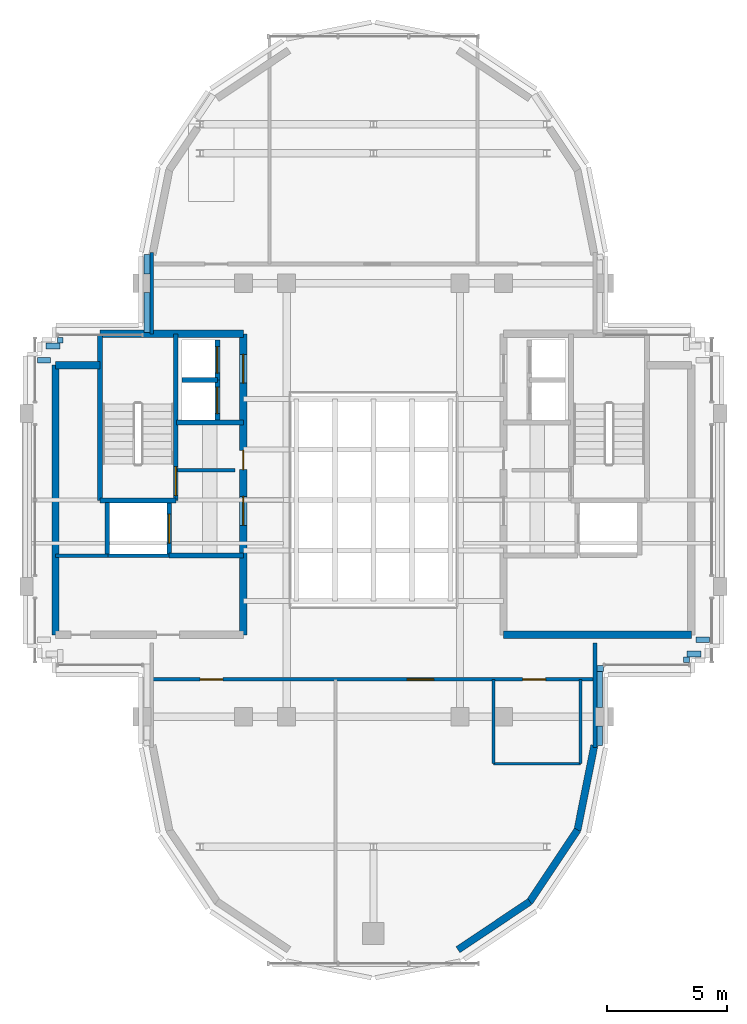
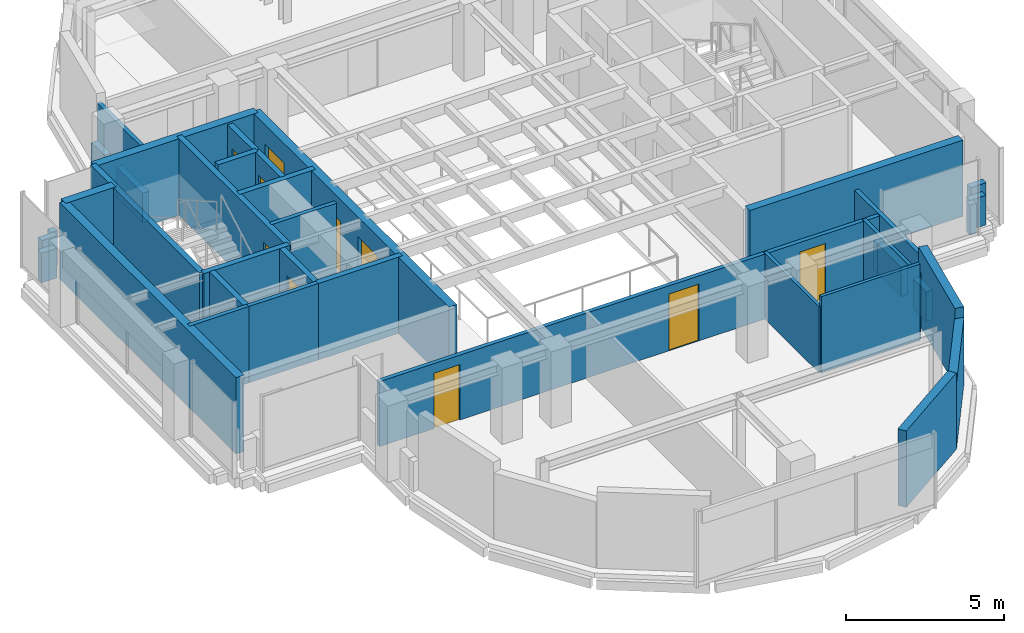
# One storey, part 7 of 11: 38 walls, 10 doors, 10 openings.
"""IFC4 building model written with IfcOpenShell, lengths in metres."""

import ifcopenshell
import ifcopenshell.guid

model = None  # the IFC model being written
_history = None  # IfcOwnerHistory: only IFC2X3 demands one
_inside = {}  # id of a spatial element -> (the spatial element, [elements in it])
_under = {}  # id of a project, library or spatial element -> (it, [spatial elements below it])
_declared = {}  # id of a project -> (the project, [libraries it declares])
_typed = {}  # id of a type object -> (the type object, [elements of that type])
_made_of = {}  # id of a material, layer set ... -> (it, [elements and type objects made of it])


def new_model(schema):
    """Start an empty IFC model of exactly this schema.

    Asked for "IFC4X3", IfcOpenShell would pick the latest addendum, in which some entities
    have other attributes; the version numbers below select the first issue.
    IFC2X3 requires an IfcOwnerHistory on every rooted entity: one is made here for all.
    """
    global model, _history
    if schema == "IFC4X3":
        model = ifcopenshell.file(schema_version=(4, 3, 0, 0))
    else:
        model = ifcopenshell.file(schema=schema)
    _inside.clear()
    _under.clear()
    _declared.clear()
    _typed.clear()
    _made_of.clear()
    _history = None
    if model.schema == "IFC2X3":
        org = make("IfcOrganization", Name="unknown")
        user = make(
            "IfcPersonAndOrganization",
            ThePerson=make("IfcPerson", FamilyName="unknown"),
            TheOrganization=org,
        )
        app = make(
            "IfcApplication",
            ApplicationDeveloper=org,
            Version="unknown",
            ApplicationFullName="unknown",
            ApplicationIdentifier="unknown",
        )
        _history = make(
            "IfcOwnerHistory",
            OwningUser=user,
            OwningApplication=app,
            ChangeAction="ADDED",
            CreationDate=0,
        )
    return model


def make(cls, **values):
    """One entity of the class cls with the attributes given. An attribute that is None is left unset."""
    return model.create_entity(
        cls, **{name: value for name, value in values.items() if value is not None}
    )


def rooted(cls, **values):
    """An entity with a GlobalId (a new one), such as an element, a storey or a relation."""
    return make(cls, GlobalId=ifcopenshell.guid.new(), OwnerHistory=_history, **values)


def si_unit(unit_type, name, prefix=None):
    """IfcSIUnit, for example si_unit("LENGTHUNIT", "METRE", prefix="MILLI")."""
    return make("IfcSIUnit", UnitType=unit_type, Prefix=prefix, Name=name)


def assignment(units):
    """IfcUnitAssignment: the units of a project."""
    return None if units is None else make("IfcUnitAssignment", Units=units)


def point(xyz):
    """IfcCartesianPoint."""
    return None if xyz is None else make("IfcCartesianPoint", Coordinates=xyz)


def direction(xyz):
    """IfcDirection."""
    return None if xyz is None else make("IfcDirection", DirectionRatios=xyz)


def frame(location, z_axis=None, x_axis=None):
    """IfcAxis2Placement3D, a coordinate frame: its origin and axes. An axis left out is left unset."""
    return make(
        "IfcAxis2Placement3D",
        Location=point(location),
        Axis=direction(z_axis),
        RefDirection=direction(x_axis),
    )


def frame_2d(location, x_axis=None):
    """IfcAxis2Placement2D, a coordinate frame in the plane: its origin and x axis."""
    return make(
        "IfcAxis2Placement2D", Location=point(location), RefDirection=direction(x_axis)
    )


def origin():
    """The frame at (0, 0, 0) with its axes left unset."""
    return frame((0.0, 0.0, 0.0))


def place(relative_to, where):
    """IfcLocalPlacement: puts the frame where relative to a parent placement (None: the world)."""
    return make(
        "IfcLocalPlacement", PlacementRelTo=relative_to, RelativePlacement=where
    )


def context(
    kind, dimensions, precision=None, world=None, true_north=None, identifier=None
):
    """IfcGeometricRepresentationContext, for example the 3D "Model" context."""
    return make(
        "IfcGeometricRepresentationContext",
        ContextIdentifier=identifier,
        ContextType=kind,
        CoordinateSpaceDimension=dimensions,
        Precision=precision,
        WorldCoordinateSystem=world,
        TrueNorth=true_north,
    )


def subcontext(parent, identifier, kind, view, scale=None):
    """IfcGeometricRepresentationSubContext, for example "Body" below "Model"."""
    return make(
        "IfcGeometricRepresentationSubContext",
        ContextIdentifier=identifier,
        ContextType=kind,
        ParentContext=parent,
        TargetScale=scale,
        TargetView=view,
    )


def project(units=None, contexts=None):
    """IfcProject with its units and contexts."""
    return rooted(
        "IfcProject",
        Name="project",
        RepresentationContexts=contexts,
        UnitsInContext=assignment(units),
    )


def spatial(cls, under=None, at=None, **own):
    """A site, building, storey or space (cls), placed at a placement, below another one or the project."""
    s = rooted(cls, ObjectPlacement=at, **own)
    if under is not None:
        _under.setdefault(under.id(), (under, []))[1].append(s)
    return s


def profile(cls, at=None, kind="AREA", **sizes):
    """A parametric profile (cls). Its sizes go by their IFC names, for example OverallWidth=200.0."""
    return make(cls, ProfileType=kind, Position=at, **sizes)


def rectangle(**sizes):
    """IfcRectangleProfileDef."""
    return profile("IfcRectangleProfileDef", **sizes)


def extrude(swept, where, along, depth):
    """IfcExtrudedAreaSolid: the profile swept, set in the frame where, extruded along a direction by depth."""
    return make(
        "IfcExtrudedAreaSolid",
        SweptArea=swept,
        Position=where,
        ExtrudedDirection=direction(along),
        Depth=depth,
    )


def shape(context_of_items, identifier, shape_type, items):
    """IfcShapeRepresentation: the items that make up one representation, for example the "Body"."""
    return make(
        "IfcShapeRepresentation",
        ContextOfItems=context_of_items,
        RepresentationIdentifier=identifier,
        RepresentationType=shape_type,
        Items=items,
    )


def source(mapping_origin, context_of_items, identifier, shape_type, items):
    """IfcRepresentationMap: a shape defined once, which mapped items show again and again."""
    return make(
        "IfcRepresentationMap",
        MappingOrigin=mapping_origin,
        MappedRepresentation=shape(context_of_items, identifier, shape_type, items),
    )


def transform(
    local_origin,
    x_axis=None,
    y_axis=None,
    z_axis=None,
    scale=None,
    scale2=None,
    scale3=None,
    uniform=True,
):
    """IfcCartesianTransformationOperator3D, or its non-uniform kind. x_axis, y_axis, z_axis: its Axis1, 2, 3."""
    if uniform:
        return make(
            "IfcCartesianTransformationOperator3D",
            Axis1=direction(x_axis),
            Axis2=direction(y_axis),
            LocalOrigin=point(local_origin),
            Scale=scale,
            Axis3=direction(z_axis),
        )
    return make(
        "IfcCartesianTransformationOperator3DnonUniform",
        Axis1=direction(x_axis),
        Axis2=direction(y_axis),
        LocalOrigin=point(local_origin),
        Scale=scale,
        Axis3=direction(z_axis),
        Scale2=scale2,
        Scale3=scale3,
    )


def mapped(mapping_source, mapping_target):
    """IfcMappedItem: shows the shape of a source again, moved by a transform."""
    return make(
        "IfcMappedItem", MappingSource=mapping_source, MappingTarget=mapping_target
    )


def material(Name=None, Category=None):
    """IfcMaterial."""
    return make("IfcMaterial", Name=Name, Category=Category)


def layer(
    of_material, thickness, ventilated=None, Name=None, Category=None, Priority=None
):
    """IfcMaterialLayer: one layer of a wall or slab, of a material (None: an air gap)."""
    return make(
        "IfcMaterialLayer",
        Material=of_material,
        LayerThickness=thickness,
        IsVentilated=ventilated,
        Name=Name,
        Category=Category,
        Priority=Priority,
    )


def layer_set(layers, Name=None):
    """IfcMaterialLayerSet."""
    return make("IfcMaterialLayerSet", MaterialLayers=layers, LayerSetName=Name)


def made_of(thing, what):
    """Note that an element or type object is made of a material, layer set ...; save() writes the relation."""
    if what is not None:
        _made_of.setdefault(what.id(), (what, []))[1].append(thing)
    return thing


def type_object(cls, material=None, **own):
    """A type object (cls), such as IfcWallType, which elements share."""
    return made_of(rooted(cls, **own), material)


def element(
    cls,
    number,
    at=None,
    inside=None,
    cuts=None,
    type_object=None,
    material=None,
    context=None,
    identifier="Body",
    shape_type=None,
    held_by="IfcProductDefinitionShape",
    body=None,
    shapes=None,
    **own,
):
    """One element of the class cls, such as IfcWall. Its Tag is "e" and its number.

    at: its placement. inside: the storey or other place that contains it. cuts: it is an
    opening in that element (IfcRelVoidsElement). A single representation is given by context,
    identifier, shape_type and body (its items); several are given by shapes. held_by: the class
    of the entity that holds the representations. save() writes the other relations.
    """
    e = rooted(cls, Tag="e%d" % number, ObjectPlacement=at, **own)
    if body is not None:
        shapes = [shape(context, identifier, shape_type, body)]
    if shapes is not None:
        e.Representation = make(held_by, Representations=shapes)
    if inside is not None:
        _inside.setdefault(inside.id(), (inside, []))[1].append(e)
    if cuts is not None:
        rooted(
            "IfcRelVoidsElement", RelatingBuildingElement=cuts, RelatedOpeningElement=e
        )
    if type_object is not None:
        _typed.setdefault(type_object.id(), (type_object, []))[1].append(e)
    return made_of(e, material)


def fill(opening, filler):
    """IfcRelFillsElement: the door or window that sits in an opening."""
    return rooted(
        "IfcRelFillsElement",
        RelatingOpeningElement=opening,
        RelatedBuildingElement=filler,
    )


def aggregate(whole, parts):
    """IfcRelAggregates: a whole, such as a stair, and the parts it consists of."""
    return rooted("IfcRelAggregates", RelatingObject=whole, RelatedObjects=parts)


def save(model, path):
    """Write the relations noted so far, then the file.

    IfcRelAggregates (storeys below a building ...), IfcRelContainedInSpatialStructure (elements
    in a storey), IfcRelDefinesByType, IfcRelAssociatesMaterial and IfcRelDeclares: one each for
    every whole, place, type object, material and project.
    """
    for whole, parts in _under.values():
        aggregate(whole, parts)
    for where, things in _inside.values():
        rooted(
            "IfcRelContainedInSpatialStructure",
            RelatedElements=things,
            RelatingStructure=where,
        )
    for kind, things in _typed.values():
        rooted("IfcRelDefinesByType", RelatedObjects=things, RelatingType=kind)
    for what, things in _made_of.values():
        rooted("IfcRelAssociatesMaterial", RelatedObjects=things, RelatingMaterial=what)
    for by, libraries in _declared.values():
        rooted("IfcRelDeclares", RelatingContext=by, RelatedDefinitions=libraries)
    model.write(path)


model = new_model("IFC4")

# Units and contexts
model_context = context("Model", 3, precision=1e-05, world=origin(), true_north=direction((0.0, 1.0)))
body_context = subcontext(model_context, "Body", "Model", "MODEL_VIEW")
ifc_project = project(units=[si_unit("LENGTHUNIT", "METRE"), si_unit("AREAUNIT", "SQUARE_METRE"), si_unit("VOLUMEUNIT", "CUBIC_METRE"), si_unit("PLANEANGLEUNIT", "RADIAN"), si_unit("MASSUNIT", "GRAM", prefix="KILO")], contexts=[model_context])

# Site, building, storey
site_placement = place(None, origin())
site = spatial("IfcSite", under=ifc_project, at=site_placement, CompositionType="ELEMENT")
building_placement = place(site_placement, origin())
building = spatial("IfcBuilding", under=site, at=building_placement, Name="Keilestroom Media Tower", CompositionType="ELEMENT")
storey_placement = place(building_placement, frame((0.0, 0.0, 268.39990234375)))
storey = spatial("IfcBuildingStorey", under=building, at=storey_placement, Name="L75", CompositionType="ELEMENT", Elevation=268.39990234375)

# Walls
ifc_material_1 = material(Name="Precast concrete C40/50", Category="concrete")
ifc_layer_1 = layer(ifc_material_1, 0.300048828125)
ifc_layer_set_1 = layer_set([ifc_layer_1], Name="Precast concrete C40/50")
wall_type_1 = type_object("IfcWallType", Name="Exterior-Masonry-Spandrel-Wall-300", PredefinedType="SOLIDWALL", material=ifc_layer_set_1)
wall_1_placement = place(storey_placement, frame((3.510009765625, -18.673583984375, 0.0), z_axis=(0.0, 0.0, 1.0), x_axis=(0.831443568068, 0.555609208993, 0.0)))
element("IfcWall", 1, at=wall_1_placement, inside=storey, type_object=wall_type_1, Name="L75 Lobe Facet Precast Frame Wall 10", PredefinedType="SOLIDWALL", context=body_context, shape_type="SweptSolid", body=[
    extrude(rectangle(XDim=3.593505859375, YDim=0.300048828125, at=frame_2d((1.796875, 0.0))), origin(), (0.0, 0.0, 1.0), 2.960205078125),
])
wall_2_placement = place(storey_placement, frame((6.47705078125, -16.697998046875, 0.0), z_axis=(0.0, 0.0, 1.0), x_axis=(0.555574187116, 0.831466970246, 0.0)))
element("IfcWall", 2, at=wall_2_placement, inside=storey, type_object=wall_type_1, Name="L75 Lobe Facet Precast Frame Wall 11", PredefinedType="SOLIDWALL", context=body_context, shape_type="SweptSolid", body=[
    extrude(rectangle(XDim=3.608642578125, YDim=0.300048828125, at=frame_2d((1.80419921875, 0.0))), origin(), (0.0, 0.0, 1.0), 2.56005859375),
])
wall_3_placement = place(storey_placement, frame((8.470703125, -13.724609375, 0.0), z_axis=(0.0, 0.0, 1.0), x_axis=(0.195114232679, 0.980780523974, 0.0)))
element("IfcWall", 3, at=wall_3_placement, inside=storey, type_object=wall_type_1, Name="L75 Lobe Facet Precast Frame Wall 12", PredefinedType="SOLIDWALL", context=body_context, shape_type="SweptSolid", body=[
    extrude(rectangle(XDim=3.608642578125, YDim=0.300048828125, at=frame_2d((1.80419921875, 0.0))), origin(), (0.0, 0.0, 1.0), 2.960205078125),
])
ifc_material_2 = material(Name="Gypsum Plasterboard & Steel Stud", Category="steel")
ifc_layer_2 = layer(ifc_material_2, 0.1201171875)
ifc_layer_set_2 = layer_set([ifc_layer_2], Name="Gypsum Plasterboard & Steel Stud")
wall_type_2 = type_object("IfcWallType", Name="Interior-Partition-Wall-120", PredefinedType="PARTITIONING", material=ifc_layer_set_2)
wall_4_placement = place(storey_placement, frame((4.97998046875, -10.949951171875, 0.0), z_axis=(0.0, 0.0, 1.0), x_axis=(1.0, 0.0, 0.0)))
element("IfcWall", 4, at=wall_4_placement, inside=storey, type_object=wall_type_2, Name="L75 Interior Wall WP-L75-SL-WC1-S", PredefinedType="PARTITIONING", context=body_context, shape_type="SweptSolid", body=[
    extrude(rectangle(XDim=3.6201171875, YDim=0.1201171875, at=frame_2d((1.81005859375, 0.0))), origin(), (0.0, 0.0, 1.0), 2.960205078125),
])
for number, where, z_axis, x_axis, name in (
    (5, (4.97998046875, -10.949951171875, 0.0), (0.0, 0.0, 1.0), (0.0, 1.0, 0.0), "L75 Interior Wall WP-L75-SL-WC1-W"),
    (6, (8.60009765625, -10.949951171875, 0.0), (0.0, 0.0, 1.0), (0.0, 1.0, 0.0), "L75 Interior Wall WP-L75-SL-WC1-E"),
):
    element("IfcWall", number, at=place(storey_placement, frame(where, z_axis=z_axis, x_axis=x_axis)), inside=storey, type_object=wall_type_2, Name=name, PredefinedType="PARTITIONING", context=body_context, shape_type="SweptSolid", body=[
        extrude(rectangle(XDim=3.5, YDim=0.1201171875, at=frame_2d((1.75, 0.0))), origin(), (0.0, 0.0, 1.0), 2.56005859375),
    ])
ifc_layer_3 = layer(ifc_material_2, 0.14990234375)
ifc_layer_set_3 = layer_set([ifc_layer_3], Name="Gypsum Plasterboard & Steel Stud")
wall_type_3 = type_object("IfcWallType", Name="Interior-Partition-Wall-150", PredefinedType="PARTITIONING", material=ifc_layer_set_3)
wall_5_placement = place(storey_placement, frame((-8.139892578125, 1.239990234375, 0.0), z_axis=(0.0, 0.0, 1.0), x_axis=(1.0, 0.0, 0.0)))
element("IfcWall", 7, at=wall_5_placement, inside=storey, type_object=wall_type_3, Name="L75 Interior Wall WP-L75-FFW-TOP", PredefinedType="PARTITIONING", context=body_context, shape_type="SweptSolid", body=[
    extrude(rectangle(XDim=2.389892578125, YDim=0.14990234375, at=frame_2d((1.19482421875, 0.0))), origin(), (0.0, 0.0, 1.0), 2.960205078125),
])
wall_6_placement = place(storey_placement, frame((-13.199951171875, -2.320068359375, 0.0), z_axis=(0.0, 0.0, 1.0), x_axis=(1.0, 0.0, 0.0)))
element("IfcWall", 8, at=wall_6_placement, inside=storey, type_object=wall_type_3, Name="L75 Interior Wall WP-L75-RECLW-N", PredefinedType="PARTITIONING", context=body_context, shape_type="SweptSolid", body=[
    extrude(rectangle(XDim=2.179931640625, YDim=0.14990234375, at=frame_2d((1.08984375, 0.0))), origin(), (0.0, 0.0, 1.0), 2.960205078125),
])
wall_7_placement = place(storey_placement, frame((-11.0400390625, -2.320068359375, 0.0), z_axis=(0.0, 0.0, 1.0), x_axis=(1.0, 0.0, 0.0)))
element("IfcWall", 9, at=wall_7_placement, inside=storey, type_object=wall_type_3, Name="L75 Interior Wall WP-L75-RECMW-N", PredefinedType="PARTITIONING", context=body_context, shape_type="SweptSolid", body=[
    extrude(rectangle(XDim=2.56005859375, YDim=0.14990234375, at=frame_2d((1.280029296875, 0.0))), origin(), (0.0, 0.0, 1.0), 2.960205078125),
])
wall_8_placement = place(storey_placement, frame((-9.199951171875, 6.89990234375, 0.0), z_axis=(0.0, 0.0, 1.0), x_axis=(0.0, 1.0, 0.0)))
element("IfcWall", 10, at=wall_8_placement, inside=storey, type_object=wall_type_3, Name="L75 Interior Wall WP-L75-NL-CHKW", PredefinedType="PARTITIONING", context=body_context, shape_type="SweptSolid", body=[
    extrude(rectangle(XDim=3.380126953125, YDim=0.14990234375, at=frame_2d((1.68994140625, 0.0))), origin(), (0.0, 0.0, 1.0), 2.56005859375),
])

# Wall, openings, doors
wall_9_placement = place(storey_placement, frame((-9.199951171875, -7.449951171875, 0.0), z_axis=(0.0, 0.0, 1.0), x_axis=(1.0, 0.0, 0.0)))
wall_9 = element("IfcWall", 11, at=wall_9_placement, inside=storey, type_object=wall_type_3, Name="L75 Interior Wall WP-L75-SL-BASE", PredefinedType="PARTITIONING", context=body_context, shape_type="SweptSolid", body=[
    extrude(rectangle(XDim=18.39990234375, YDim=0.14990234375, at=frame_2d((9.199951171875, 0.0))), origin(), (0.0, 0.0, 1.0), 2.52001953125),
])
opening_1_placement = place(wall_9_placement, frame((15.39990234375, 0.0, 0.0)))
opening_1 = element("IfcOpeningElement", 12, at=opening_1_placement, cuts=wall_9, Name="Opening DI-03", PredefinedType="OPENING", context=body_context, shape_type="SweptSolid", body=[
    extrude(rectangle(XDim=0.949951171875, YDim=2.14990234375, at=frame_2d((0.47509765625, 1.074951171875))), frame((0.0, 0.0849609375, 0.0), z_axis=(0.0, -1.0, 0.0), x_axis=(1.0, 0.0, 0.0)), (0.0, 0.0, 1.0), 0.169921875),
])
opening_2_placement = place(wall_9_placement, frame((2.0, 0.0, 0.0)))
opening_2 = element("IfcOpeningElement", 13, at=opening_2_placement, cuts=wall_9, Name="Opening DI-03", PredefinedType="OPENING", context=body_context, shape_type="SweptSolid", body=[
    extrude(rectangle(XDim=0.949951171875, YDim=2.14990234375, at=frame_2d((0.47509765625, 1.074951171875))), frame((0.0, 0.0849609375, 0.0), z_axis=(0.0, -1.0, 0.0), x_axis=(1.0, 0.0, 0.0)), (0.0, 0.0, 1.0), 0.169921875),
])
opening_3_placement = place(wall_9_placement, frame((10.60009765625, 0.0, 0.0)))
opening_3 = element("IfcOpeningElement", 14, at=opening_3_placement, cuts=wall_9, Name="Opening DI-04", PredefinedType="OPENING", context=body_context, shape_type="SweptSolid", body=[
    extrude(rectangle(XDim=1.10009765625, YDim=2.199951171875, at=frame_2d((0.550048828125, 1.10009765625))), frame((0.0, 0.0849609375, 0.0), z_axis=(0.0, -1.0, 0.0), x_axis=(1.0, 0.0, 0.0)), (0.0, 0.0, 1.0), 0.169921875),
])
ifc_material_3 = material(Name="Lacquered European Oak Leaf", Category="wood")
door_type_1 = type_object("IfcDoorType", Name="Interior-Room-And-Suite-Door-DI-03", OperationType="NOTDEFINED", PredefinedType="DOOR", material=ifc_material_3)
shared_shape_1 = source(origin(), body_context, "Body", "SweptSolid", [
    extrude(rectangle(XDim=0.949951171875, YDim=2.14990234375, at=frame_2d((0.47509765625, 1.074951171875))), frame((0.0, 0.02490234375, 0.0), z_axis=(0.0, -1.0, 0.0), x_axis=(1.0, 0.0, 0.0)), (0.0, 0.0, 1.0), 0.050048828125),
])
door_1_placement = place(opening_1_placement, origin())
door_1 = element("IfcDoor", 15, at=door_1_placement, inside=storey, type_object=door_type_1, Name="L75 Interior Door DI-L75-DSL-WC1", OperationType="SINGLE_SWING_RIGHT", OverallHeight=2.14990234375, OverallWidth=0.949951171875, PredefinedType="DOOR", context=body_context, shape_type="MappedRepresentation", body=[
    mapped(shared_shape_1, transform((0.0, 0.0, 0.0), x_axis=(1.0, 0.0, 0.0), y_axis=(0.0, 1.0, 0.0), z_axis=(0.0, 0.0, 1.0), scale=1.0)),
])
fill(opening_1, door_1)
door_2_placement = place(opening_2_placement, origin())
door_2 = element("IfcDoor", 16, at=door_2_placement, inside=storey, type_object=door_type_1, Name="L75 Interior Door DI-L75-DSL-W", OperationType="SINGLE_SWING_LEFT", OverallHeight=2.14990234375, OverallWidth=0.949951171875, PredefinedType="DOOR", context=body_context, shape_type="MappedRepresentation", body=[
    mapped(shared_shape_1, transform((0.0, 0.0, 0.0), x_axis=(1.0, 0.0, 0.0), y_axis=(0.0, 1.0, 0.0), z_axis=(0.0, 0.0, 1.0), scale=1.0)),
])
fill(opening_2, door_2)
ifc_material_4 = material(Name="Acoustic Glazed Aluminium Leaf", Category="aluminium")
door_type_2 = type_object("IfcDoorType", Name="Interior-Room-And-Suite-Door-DI-04", OperationType="NOTDEFINED", PredefinedType="DOOR", material=ifc_material_4)
shared_shape_2 = source(origin(), body_context, "Body", "SweptSolid", [
    extrude(rectangle(XDim=1.10009765625, YDim=2.199951171875, at=frame_2d((0.550048828125, 1.10009765625))), frame((0.0, 0.02490234375, 0.0), z_axis=(0.0, -1.0, 0.0), x_axis=(1.0, 0.0, 0.0)), (0.0, 0.0, 1.0), 0.050048828125),
])
door_3_placement = place(opening_3_placement, origin())
door_3 = element("IfcDoor", 17, at=door_3_placement, inside=storey, type_object=door_type_2, Name="L75 Interior Door DI-L75-DSL-E", OperationType="SINGLE_SWING_RIGHT", OverallHeight=2.199951171875, OverallWidth=1.10009765625, PredefinedType="DOOR", context=body_context, shape_type="MappedRepresentation", body=[
    mapped(shared_shape_2, transform((0.0, 0.0, 0.0), x_axis=(1.0, 0.0, 0.0), y_axis=(0.0, 1.0, 0.0), z_axis=(0.0, 0.0, 1.0), scale=1.0)),
])
fill(opening_3, door_3)

# Walls
wall_10_placement = place(storey_placement, frame((9.199951171875, -10.280029296875, 0.0), z_axis=(0.0, 0.0, 1.0), x_axis=(0.0, 1.0, 0.0)))
element("IfcWall", 18, at=wall_10_placement, inside=storey, type_object=wall_type_3, Name="L75 Interior Wall WP-L75-SL-CHKE", PredefinedType="PARTITIONING", context=body_context, shape_type="SweptSolid", body=[
    extrude(rectangle(XDim=4.340087890625, YDim=0.14990234375, at=frame_2d((2.169921875, 0.0))), origin(), (0.0, 0.0, 1.0), 2.56005859375),
])
ifc_material_5 = material(Name="Concrete C50/60", Category="concrete")
ifc_layer_4 = layer(ifc_material_5, 0.300048828125)
ifc_layer_set_4 = layer_set([ifc_layer_4], Name="Concrete C50/60")
wall_type_4 = type_object("IfcWallType", Name="Reinforced-Concrete-Core-Shear-Wall-300", PredefinedType="SHEAR", material=ifc_layer_set_4)
wall_11_placement = place(storey_placement, frame((-13.199951171875, -5.60009765625, 0.0), z_axis=(0.0, 0.0, 1.0), x_axis=(0.0, 1.0, 0.0)))
element("IfcWall", 19, at=wall_11_placement, inside=storey, type_object=wall_type_4, Name="L75 Core Shear Wall WL-L75-CORE-W-OUT", PredefinedType="SHEAR", context=body_context, shape_type="SweptSolid", body=[
    extrude(rectangle(XDim=11.2001953125, YDim=0.300048828125, at=frame_2d((5.60009765625, 0.0))), origin(), (0.0, 0.0, 1.0), 2.960205078125),
])

# Wall, openings, doors
wall_12_placement = place(storey_placement, frame((-5.39990234375, -5.60009765625, 0.0), z_axis=(0.0, 0.0, 1.0), x_axis=(0.0, 1.0, 0.0)))
wall_12 = element("IfcWall", 20, at=wall_12_placement, inside=storey, type_object=wall_type_4, Name="L75 Core Shear Wall WL-L75-CORE-W-IN", PredefinedType="SHEAR", context=body_context, shape_type="SweptSolid", body=[
    extrude(rectangle(XDim=12.5, YDim=0.300048828125, at=frame_2d((6.25, 0.0))), origin(), (0.0, 0.0, 1.0), 2.960205078125),
])
opening_4_placement = place(wall_12_placement, frame((4.550048828125, 0.0, 0.0)))
opening_4 = element("IfcOpeningElement", 21, at=opening_4_placement, cuts=wall_12, Name="Opening DI-02", PredefinedType="OPENING", context=body_context, shape_type="SweptSolid", body=[
    extrude(rectangle(XDim=1.199951171875, YDim=2.199951171875, at=frame_2d((0.60009765625, 1.10009765625))), frame((0.0, 0.16015625, 0.0), z_axis=(0.0, -1.0, 0.0), x_axis=(1.0, 0.0, 0.0)), (0.0, 0.0, 1.0), 0.320068359375),
])
opening_5_placement = place(wall_12_placement, frame((10.449951171875, 0.0, 0.0)))
opening_5 = element("IfcOpeningElement", 22, at=opening_5_placement, cuts=wall_12, Name="Opening DI-02", PredefinedType="OPENING", context=body_context, shape_type="SweptSolid", body=[
    extrude(rectangle(XDim=1.199951171875, YDim=2.199951171875, at=frame_2d((0.60009765625, 1.10009765625))), frame((0.0, 0.16015625, 0.0), z_axis=(0.0, -1.0, 0.0), x_axis=(1.0, 0.0, 0.0)), (0.0, 0.0, 1.0), 0.320068359375),
])
opening_6_placement = place(wall_12_placement, frame((6.860107421875, 0.0, 0.0)))
opening_6 = element("IfcOpeningElement", 23, at=opening_6_placement, cuts=wall_12, Name="Opening DI-06", PredefinedType="OPENING", context=body_context, shape_type="SweptSolid", body=[
    extrude(rectangle(XDim=0.800048828125, YDim=2.10009765625, at=frame_2d((0.39990234375, 1.050048828125))), frame((0.0, 0.16015625, 0.0), z_axis=(0.0, -1.0, 0.0), x_axis=(1.0, 0.0, 0.0)), (0.0, 0.0, 1.0), 0.320068359375),
])
ifc_material_6 = material(Name="Powder-Coated Steel Fire Leaf", Category="steel")
door_type_3 = type_object("IfcDoorType", Name="Interior-Compartment-Fire-Door-DI-02", OperationType="NOTDEFINED", PredefinedType="DOOR", material=ifc_material_6)
shared_shape_3 = source(origin(), body_context, "Body", "SweptSolid", [
    extrude(rectangle(XDim=1.199951171875, YDim=2.199951171875, at=frame_2d((0.60009765625, 1.10009765625))), frame((0.0, 0.02490234375, 0.0), z_axis=(0.0, -1.0, 0.0), x_axis=(1.0, 0.0, 0.0)), (0.0, 0.0, 1.0), 0.050048828125),
])
door_4_placement = place(opening_4_placement, origin())
door_4 = element("IfcDoor", 24, at=door_4_placement, inside=storey, type_object=door_type_3, Name="L75 W Firefighting Lobby Door", OperationType="SINGLE_SWING_RIGHT", OverallHeight=2.199951171875, OverallWidth=1.199951171875, PredefinedType="DOOR", context=body_context, shape_type="MappedRepresentation", body=[
    mapped(shared_shape_3, transform((0.0, 0.0, 0.0), x_axis=(1.0, 0.0, 0.0), y_axis=(0.0, 1.0, 0.0), z_axis=(0.0, 0.0, 1.0), scale=1.0)),
])
fill(opening_4, door_4)
door_5_placement = place(opening_5_placement, origin())
door_5 = element("IfcDoor", 25, at=door_5_placement, inside=storey, type_object=door_type_3, Name="L75 W High-Rise Lift Lobby Door", OperationType="SINGLE_SWING_LEFT", OverallHeight=2.199951171875, OverallWidth=1.199951171875, PredefinedType="DOOR", context=body_context, shape_type="MappedRepresentation", body=[
    mapped(shared_shape_3, transform((0.0, 0.0, 0.0), x_axis=(1.0, 0.0, 0.0), y_axis=(0.0, 1.0, 0.0), z_axis=(0.0, 0.0, 1.0), scale=1.0)),
])
fill(opening_5, door_5)
ifc_material_7 = material(Name="Powder-Coated Steel Service Leaf", Category="steel")
door_type_4 = type_object("IfcDoorType", Name="Interior-Riser-Access-Door-DI-06", OperationType="NOTDEFINED", PredefinedType="DOOR", material=ifc_material_7)
shared_shape_4 = source(origin(), body_context, "Body", "SweptSolid", [
    extrude(rectangle(XDim=0.800048828125, YDim=2.10009765625, at=frame_2d((0.39990234375, 1.050048828125))), frame((0.0, 0.02490234375, 0.0), z_axis=(0.0, -1.0, 0.0), x_axis=(1.0, 0.0, 0.0)), (0.0, 0.0, 1.0), 0.050048828125),
])
door_6_placement = place(opening_6_placement, origin())
door_6 = element("IfcDoor", 26, at=door_6_placement, inside=storey, type_object=door_type_4, Name="L75 West Core Switchroom Door", OperationType="SINGLE_SWING_LEFT", OverallHeight=2.10009765625, OverallWidth=0.800048828125, PredefinedType="DOOR", context=body_context, shape_type="MappedRepresentation", body=[
    mapped(shared_shape_4, transform((0.0, 0.0, 0.0), x_axis=(1.0, 0.0, 0.0), y_axis=(0.0, 1.0, 0.0), z_axis=(0.0, 0.0, 1.0), scale=1.0)),
])
fill(opening_6, door_6)

# Walls
wall_13_placement = place(storey_placement, frame((-11.35595703125, 6.89990234375, 0.0), z_axis=(0.0, 0.0, 1.0), x_axis=(1.0, 0.0, 0.0)))
element("IfcWall", 27, at=wall_13_placement, inside=storey, type_object=wall_type_4, Name="L75 Core Shear Wall WL-L75-CORE-W-N", PredefinedType="SHEAR", context=body_context, shape_type="SweptSolid", body=[
    extrude(rectangle(XDim=5.9560546875, YDim=0.300048828125, at=frame_2d((2.97802734375, 0.0))), origin(), (0.0, 0.0, 1.0), 2.960205078125),
])
wall_14_placement = place(storey_placement, frame((-13.199951171875, 5.60009765625, 0.0), z_axis=(0.0, 0.0, 1.0), x_axis=(1.0, 0.0, 0.0)))
element("IfcWall", 28, at=wall_14_placement, inside=storey, type_object=wall_type_4, Name="L75 Core Shear Wall WL-L75-CNW-N", PredefinedType="SHEAR", context=body_context, shape_type="SweptSolid", body=[
    extrude(rectangle(XDim=1.843994140625, YDim=0.300048828125, at=frame_2d((0.921875, 0.0))), origin(), (0.0, 0.0, 1.0), 2.960205078125),
])
wall_15_placement = place(storey_placement, frame((5.39990234375, -5.60009765625, 0.0), z_axis=(0.0, 0.0, 1.0), x_axis=(1.0, 0.0, 0.0)))
element("IfcWall", 29, at=wall_15_placement, inside=storey, type_object=wall_type_4, Name="L75 Core Shear Wall WL-L75-CORE-E-S", PredefinedType="SHEAR", context=body_context, shape_type="SweptSolid", body=[
    extrude(rectangle(XDim=7.800048828125, YDim=0.300048828125, at=frame_2d((3.89990234375, 0.0))), origin(), (0.0, 0.0, 1.0), 2.960205078125),
])
ifc_layer_5 = layer(ifc_material_5, 0.199951171875)
ifc_layer_set_5 = layer_set([ifc_layer_5], Name="Concrete C50/60")
wall_type_5 = type_object("IfcWallType", Name="Reinforced-Concrete-Shaft-Wall-200", PredefinedType="SOLIDWALL", material=ifc_layer_set_5)
wall_16_placement = place(storey_placement, frame((-8.179931640625, 3.219970703125, 0.0), z_axis=(0.0, 0.0, 1.0), x_axis=(1.0, 0.0, 0.0)))
element("IfcWall", 30, at=wall_16_placement, inside=storey, type_object=wall_type_5, Name="L75 Core Shear Wall WL-L75-CORE-W-FFN", PredefinedType="SOLIDWALL", context=body_context, shape_type="SweptSolid", body=[
    extrude(rectangle(XDim=2.780029296875, YDim=0.199951171875, at=frame_2d((1.39013671875, 0.0))), origin(), (0.0, 0.0, 1.0), 2.960205078125),
])
wall_17_placement = place(storey_placement, frame((-8.47998046875, -2.300048828125, 0.0), z_axis=(0.0, 0.0, 1.0), x_axis=(1.0, 0.0, 0.0)))
element("IfcWall", 31, at=wall_17_placement, inside=storey, type_object=wall_type_5, Name="L75 Core Shear Wall WL-L75-CORE-W-FFS", PredefinedType="SOLIDWALL", context=body_context, shape_type="SweptSolid", body=[
    extrude(rectangle(XDim=3.080078125, YDim=0.199951171875, at=frame_2d((1.5400390625, 0.0))), origin(), (0.0, 0.0, 1.0), 2.960205078125),
])

# Wall, opening, door
wall_18_placement = place(storey_placement, frame((-8.2041015625, -0.01611328125, 0.0), z_axis=(0.0, 0.0, 1.0), x_axis=(0.0, 1.0, 0.0)))
wall_18 = element("IfcWall", 32, at=wall_18_placement, inside=storey, type_object=wall_type_5, Name="L75 Core Shear Wall WL-L75-STW-W-NEAR", PredefinedType="SOLIDWALL", context=body_context, shape_type="SweptSolid", body=[
    extrude(rectangle(XDim=6.916015625, YDim=0.199951171875, at=frame_2d((3.4580078125, 0.0))), origin(), (0.0, 0.0, 1.0), 2.960205078125),
])
opening_7_placement = place(wall_18_placement, frame((0.199951171875, 0.0, 0.0)))
opening_7 = element("IfcOpeningElement", 33, at=opening_7_placement, cuts=wall_18, Name="Opening DI-01S", PredefinedType="OPENING", context=body_context, shape_type="SweptSolid", body=[
    extrude(rectangle(XDim=1.199951171875, YDim=2.199951171875, at=frame_2d((0.60009765625, 1.10009765625))), frame((0.0, 0.10986328125, 0.0), z_axis=(0.0, -1.0, 0.0), x_axis=(1.0, 0.0, 0.0)), (0.0, 0.0, 1.0), 0.219970703125),
])
door_type_5 = type_object("IfcDoorType", Name="Interior-Stair-And-Core-Fire-Door-DI-01", OperationType="NOTDEFINED", PredefinedType="DOOR", material=ifc_material_6)
door_7_placement = place(opening_7_placement, origin())
door_7 = element("IfcDoor", 34, at=door_7_placement, inside=storey, type_object=door_type_5, Name="L75 Escape Stair ST-1 Fire Door", OperationType="SINGLE_SWING_LEFT", OverallHeight=2.199951171875, OverallWidth=1.199951171875, PredefinedType="DOOR", context=body_context, shape_type="MappedRepresentation", body=[
    mapped(shared_shape_3, transform((0.0, 0.0, 0.0), x_axis=(1.0, 0.0, 0.0), y_axis=(0.0, 1.0, 0.0), z_axis=(0.0, 0.0, 1.0), scale=1.0)),
])
fill(opening_7, door_7)

# Walls
wall_19_placement = place(storey_placement, frame((-11.35595703125, -0.01611328125, 0.0), z_axis=(0.0, 0.0, 1.0), x_axis=(0.0, 1.0, 0.0)))
element("IfcWall", 35, at=wall_19_placement, inside=storey, type_object=wall_type_5, Name="L75 Core Shear Wall WL-L75-STW-W-FAR", PredefinedType="SOLIDWALL", context=body_context, shape_type="SweptSolid", body=[
    extrude(rectangle(XDim=6.916015625, YDim=0.199951171875, at=frame_2d((3.4580078125, 0.0))), origin(), (0.0, 0.0, 1.0), 2.960205078125),
])
wall_20_placement = place(storey_placement, frame((-11.35595703125, -0.01611328125, 0.0), z_axis=(0.0, 0.0, 1.0), x_axis=(1.0, 0.0, 0.0)))
element("IfcWall", 36, at=wall_20_placement, inside=storey, type_object=wall_type_5, Name="L75 Core Shear Wall WL-L75-STW-W-S", PredefinedType="SOLIDWALL", context=body_context, shape_type="SweptSolid", body=[
    extrude(rectangle(XDim=3.15185546875, YDim=0.199951171875, at=frame_2d((1.575927734375, 0.0))), origin(), (0.0, 0.0, 1.0), 2.960205078125),
])
wall_21_placement = place(storey_placement, frame((-11.050048828125, -2.280029296875, 0.0), z_axis=(0.0, 0.0, 1.0), x_axis=(0.0, 1.0, 0.0)))
element("IfcWall", 37, at=wall_21_placement, inside=storey, type_object=wall_type_5, Name="L75 Core Shear Wall WL-L75-LSH-FFL-1-W", PredefinedType="SOLIDWALL", context=body_context, shape_type="SweptSolid", body=[
    extrude(rectangle(XDim=2.179931640625, YDim=0.199951171875, at=frame_2d((1.08984375, 0.0))), origin(), (0.0, 0.0, 1.0), 2.960205078125),
])

# Wall, opening, door
wall_22_placement = place(storey_placement, frame((-8.47998046875, -2.280029296875, 0.0), z_axis=(0.0, 0.0, 1.0), x_axis=(0.0, 1.0, 0.0)))
wall_22 = element("IfcWall", 38, at=wall_22_placement, inside=storey, type_object=wall_type_5, Name="L75 Core Shear Wall WL-L75-LSH-FFL-1-E", PredefinedType="SOLIDWALL", context=body_context, shape_type="SweptSolid", body=[
    extrude(rectangle(XDim=2.179931640625, YDim=0.199951171875, at=frame_2d((1.08984375, 0.0))), origin(), (0.0, 0.0, 1.0), 2.960205078125),
])
opening_8_placement = place(wall_22_placement, frame((0.489990234375, 0.0, 0.0)))
opening_8 = element("IfcOpeningElement", 39, at=opening_8_placement, cuts=wall_22, Name="Opening LD-02", PredefinedType="OPENING", context=body_context, shape_type="SweptSolid", body=[
    extrude(rectangle(XDim=1.199951171875, YDim=2.199951171875, at=frame_2d((0.60009765625, 1.10009765625))), frame((0.0, 0.10986328125, 0.0), z_axis=(0.0, -1.0, 0.0), x_axis=(1.0, 0.0, 0.0)), (0.0, 0.0, 1.0), 0.219970703125),
])
ifc_material_8 = material(Name="Brushed Stainless Steel Sliding Leaf", Category="steel")
door_type_6 = type_object("IfcDoorType", Name="Lift-Landing-Sliding-Door-LD-02", OperationType="SLIDING_TO_RIGHT", PredefinedType="DOOR", material=ifc_material_8)
door_8_placement = place(opening_8_placement, origin())
door_8 = element("IfcDoor", 40, at=door_8_placement, inside=storey, type_object=door_type_6, Name="L75 Lift FFL-1 Landing Sliding Door", OperationType="SLIDING_TO_RIGHT", OverallHeight=2.199951171875, OverallWidth=1.199951171875, PredefinedType="DOOR", context=body_context, shape_type="MappedRepresentation", body=[
    mapped(shared_shape_3, transform((0.0, 0.0, 0.0), x_axis=(1.0, 0.0, 0.0), y_axis=(0.0, 1.0, 0.0), z_axis=(0.0, 0.0, 1.0), scale=1.0)),
])
fill(opening_8, door_8)

wall_23_placement = place(storey_placement, frame((-6.47998046875, 3.300048828125, 0.0), z_axis=(0.0, 0.0, 1.0), x_axis=(0.0, 1.0, 0.0)))
wall_23 = element("IfcWall", 41, at=wall_23_placement, inside=storey, type_object=wall_type_5, Name="L75 Core Shear Wall WL-L75-LSH-PL-H1-E", PredefinedType="SOLIDWALL", context=body_context, shape_type="SweptSolid", body=[
    extrude(rectangle(XDim=1.679931640625, YDim=0.199951171875, at=frame_2d((0.83984375, 0.0))), origin(), (0.0, 0.0, 1.0), 2.960205078125),
])
opening_9_placement = place(wall_23_placement, frame((0.2900390625, 0.0, 0.0)))
opening_9 = element("IfcOpeningElement", 42, at=opening_9_placement, cuts=wall_23, Name="Opening LD-01", PredefinedType="OPENING", context=body_context, shape_type="SweptSolid", body=[
    extrude(rectangle(XDim=1.10009765625, YDim=2.199951171875, at=frame_2d((0.550048828125, 1.10009765625))), frame((0.0, 0.10986328125, 0.0), z_axis=(0.0, -1.0, 0.0), x_axis=(1.0, 0.0, 0.0)), (0.0, 0.0, 1.0), 0.219970703125),
])
door_type_7 = type_object("IfcDoorType", Name="Lift-Landing-Sliding-Door-LD-01", OperationType="SLIDING_TO_LEFT", PredefinedType="DOOR", material=ifc_material_8)
door_9_placement = place(opening_9_placement, origin())
door_9 = element("IfcDoor", 43, at=door_9_placement, inside=storey, type_object=door_type_7, Name="L75 Lift PL-H1 Landing Sliding Door", OperationType="SLIDING_TO_LEFT", OverallHeight=2.199951171875, OverallWidth=1.10009765625, PredefinedType="DOOR", context=body_context, shape_type="MappedRepresentation", body=[
    mapped(shared_shape_2, transform((0.0, 0.0, 0.0), x_axis=(1.0, 0.0, 0.0), y_axis=(0.0, 1.0, 0.0), z_axis=(0.0, 0.0, 1.0), scale=1.0)),
])
fill(opening_9, door_9)

# Wall
wall_24_placement = place(storey_placement, frame((-7.949951171875, 4.97998046875, 0.0), z_axis=(0.0, 0.0, 1.0), x_axis=(1.0, 0.0, 0.0)))
element("IfcWall", 44, at=wall_24_placement, inside=storey, type_object=wall_type_5, Name="L75 Core Shear Wall WL-L75-LSH-PL-H1-N", PredefinedType="SOLIDWALL", context=body_context, shape_type="SweptSolid", body=[
    extrude(rectangle(XDim=1.469970703125, YDim=0.199951171875, at=frame_2d((0.73486328125, 0.0))), origin(), (0.0, 0.0, 1.0), 2.960205078125),
])

# Wall, opening, door
wall_25_placement = place(storey_placement, frame((-6.47998046875, 4.97998046875, 0.0), z_axis=(0.0, 0.0, 1.0), x_axis=(0.0, 1.0, 0.0)))
wall_25 = element("IfcWall", 45, at=wall_25_placement, inside=storey, type_object=wall_type_5, Name="L75 Core Shear Wall WL-L75-LSH-PL-H2-E", PredefinedType="SOLIDWALL", context=body_context, shape_type="SweptSolid", body=[
    extrude(rectangle(XDim=1.669921875, YDim=0.199951171875, at=frame_2d((0.8349609375, 0.0))), origin(), (0.0, 0.0, 1.0), 2.960205078125),
])
opening_10_placement = place(wall_25_placement, frame((0.284912109375, 0.0, 0.0)))
opening_10 = element("IfcOpeningElement", 46, at=opening_10_placement, cuts=wall_25, Name="Opening LD-01", PredefinedType="OPENING", context=body_context, shape_type="SweptSolid", body=[
    extrude(rectangle(XDim=1.10009765625, YDim=2.199951171875, at=frame_2d((0.550048828125, 1.10009765625))), frame((0.0, 0.10986328125, 0.0), z_axis=(0.0, -1.0, 0.0), x_axis=(1.0, 0.0, 0.0)), (0.0, 0.0, 1.0), 0.219970703125),
])
door_10_placement = place(opening_10_placement, origin())
door_10 = element("IfcDoor", 47, at=door_10_placement, inside=storey, type_object=door_type_7, Name="L75 Lift PL-H2 Landing Sliding Door", OperationType="SLIDING_TO_LEFT", OverallHeight=2.199951171875, OverallWidth=1.10009765625, PredefinedType="DOOR", context=body_context, shape_type="MappedRepresentation", body=[
    mapped(shared_shape_2, transform((0.0, 0.0, 0.0), x_axis=(1.0, 0.0, 0.0), y_axis=(0.0, 1.0, 0.0), z_axis=(0.0, 0.0, 1.0), scale=1.0)),
])
fill(opening_10, door_10)

# Walls
ifc_layer_6 = layer(ifc_material_1, 0.239990234375)
ifc_layer_set_6 = layer_set([ifc_layer_6], Name="Precast concrete C40/50")
wall_type_6 = type_object("IfcWallType", Name="Roof-And-Terrace-Parapet-Wall-240", PredefinedType="PARAPET", material=ifc_layer_set_6)
wall_26_placement = place(storey_placement, frame((13.95703125, -5.800048828125, 0.0), z_axis=(0.0, 0.0, 1.0), x_axis=(-1.0, 0.0, 0.0)))
element("IfcWall", 48, at=wall_26_placement, inside=storey, type_object=wall_type_6, Name="L75 Perimeter Edge Parapet Wall 01", PredefinedType="PARAPET", context=body_context, shape_type="SweptSolid", body=[
    extrude(rectangle(XDim=0.55712890625, YDim=0.239990234375, at=frame_2d((0.278564453125, 0.0))), origin(), (0.0, 0.0, 1.0), 1.150146484375),
])
wall_27_placement = place(storey_placement, frame((13.60009765625, -6.39990234375, 0.0), z_axis=(0.0, 0.0, 1.0), x_axis=(-1.0, 0.0, 0.0)))
element("IfcWall", 49, at=wall_27_placement, inside=storey, type_object=wall_type_6, Name="L75 Perimeter Edge Parapet Wall 02", PredefinedType="PARAPET", context=body_context, shape_type="SweptSolid", body=[
    extrude(rectangle(XDim=0.576416015625, YDim=0.239990234375, at=frame_2d((0.2880859375, 0.0))), origin(), (0.0, 0.0, 1.0), 1.150146484375),
])
wall_28_placement = place(storey_placement, frame((13.0, -6.52294921875, 0.0), z_axis=(0.0, 0.0, 1.0), x_axis=(0.0, -1.0, 0.0)))
element("IfcWall", 50, at=wall_28_placement, inside=storey, type_object=wall_type_6, Name="L75 Perimeter Edge Parapet Wall 03", PredefinedType="PARAPET", context=body_context, shape_type="SweptSolid", body=[
    extrude(rectangle(XDim=0.234130859375, YDim=0.239990234375, at=frame_2d((0.1171875, 0.0))), origin(), (0.0, 0.0, 1.0), 1.150146484375),
])
wall_29_placement = place(storey_placement, frame((9.547119140625, -7.0, 0.0), z_axis=(0.0, 0.0, 1.0), x_axis=(-1.0, 0.0, 0.0)))
element("IfcWall", 51, at=wall_29_placement, inside=storey, type_object=wall_type_6, Name="L75 Perimeter Edge Parapet Wall 04", PredefinedType="PARAPET", context=body_context, shape_type="SweptSolid", body=[
    extrude(rectangle(XDim=0.26904296875, YDim=0.239990234375, at=frame_2d((0.134521484375, 0.0))), origin(), (0.0, 0.0, 1.0), 1.150146484375),
])
wall_30_placement = place(storey_placement, frame((9.39990234375, -7.123046875, 0.0), z_axis=(0.0, 0.0, 1.0), x_axis=(0.0, -1.0, 0.0)))
element("IfcWall", 52, at=wall_30_placement, inside=storey, type_object=wall_type_6, Name="L75 Perimeter Edge Parapet Wall 05", PredefinedType="PARAPET", context=body_context, shape_type="SweptSolid", body=[
    extrude(rectangle(XDim=1.4990234375, YDim=0.239990234375, at=frame_2d((0.74951171875, 0.0))), origin(), (0.0, 0.0, 1.0), 1.150146484375),
])
wall_31_placement = place(storey_placement, frame((9.39990234375, -9.3779296875, 0.0), z_axis=(0.0, 0.0, 1.0), x_axis=(0.0, -1.0, 0.0)))
element("IfcWall", 53, at=wall_31_placement, inside=storey, type_object=wall_type_6, Name="L75 Perimeter Edge Parapet Wall 06", PredefinedType="PARAPET", context=body_context, shape_type="SweptSolid", body=[
    extrude(rectangle(XDim=0.824951171875, YDim=0.239990234375, at=frame_2d((0.41259765625, 0.0))), origin(), (0.0, 0.0, 1.0), 1.150146484375),
])
wall_32_placement = place(storey_placement, frame((-13.95703125, 5.800048828125, 0.0), z_axis=(0.0, 0.0, 1.0), x_axis=(1.0, 0.0, 0.0)))
element("IfcWall", 54, at=wall_32_placement, inside=storey, type_object=wall_type_6, Name="L75 Perimeter Edge Parapet Wall 13", PredefinedType="PARAPET", context=body_context, shape_type="SweptSolid", body=[
    extrude(rectangle(XDim=0.55712890625, YDim=0.239990234375, at=frame_2d((0.278564453125, 0.0))), origin(), (0.0, 0.0, 1.0), 1.150146484375),
])
wall_33_placement = place(storey_placement, frame((-13.60009765625, 6.39990234375, 0.0), z_axis=(0.0, 0.0, 1.0), x_axis=(1.0, 0.0, 0.0)))
element("IfcWall", 55, at=wall_33_placement, inside=storey, type_object=wall_type_6, Name="L75 Perimeter Edge Parapet Wall 14", PredefinedType="PARAPET", context=body_context, shape_type="SweptSolid", body=[
    extrude(rectangle(XDim=0.576416015625, YDim=0.239990234375, at=frame_2d((0.2880859375, 0.0))), origin(), (0.0, 0.0, 1.0), 1.150146484375),
])
wall_34_placement = place(storey_placement, frame((-13.0, 6.52294921875, 0.0), z_axis=(0.0, 0.0, 1.0), x_axis=(0.0, 1.0, 0.0)))
element("IfcWall", 56, at=wall_34_placement, inside=storey, type_object=wall_type_6, Name="L75 Perimeter Edge Parapet Wall 15", PredefinedType="PARAPET", context=body_context, shape_type="SweptSolid", body=[
    extrude(rectangle(XDim=0.234130859375, YDim=0.239990234375, at=frame_2d((0.1171875, 0.0))), origin(), (0.0, 0.0, 1.0), 1.150146484375),
])
wall_35_placement = place(storey_placement, frame((-9.39990234375, 6.952880859375, 0.0), z_axis=(0.0, 0.0, 1.0), x_axis=(0.0, 1.0, 0.0)))
element("IfcWall", 57, at=wall_35_placement, inside=storey, type_object=wall_type_6, Name="L75 Perimeter Edge Parapet Wall 16", PredefinedType="PARAPET", context=body_context, shape_type="SweptSolid", body=[
    extrude(rectangle(XDim=1.669189453125, YDim=0.239990234375, at=frame_2d((0.83447265625, 0.0))), origin(), (0.0, 0.0, 1.0), 1.150146484375),
])
wall_36_placement = place(storey_placement, frame((-9.39990234375, 9.3779296875, 0.0), z_axis=(0.0, 0.0, 1.0), x_axis=(0.0, 1.0, 0.0)))
element("IfcWall", 58, at=wall_36_placement, inside=storey, type_object=wall_type_6, Name="L75 Perimeter Edge Parapet Wall 17", PredefinedType="PARAPET", context=body_context, shape_type="SweptSolid", body=[
    extrude(rectangle(XDim=0.824951171875, YDim=0.239990234375, at=frame_2d((0.41259765625, 0.0))), origin(), (0.0, 0.0, 1.0), 1.150146484375),
])

save(model, "model.ifc")
